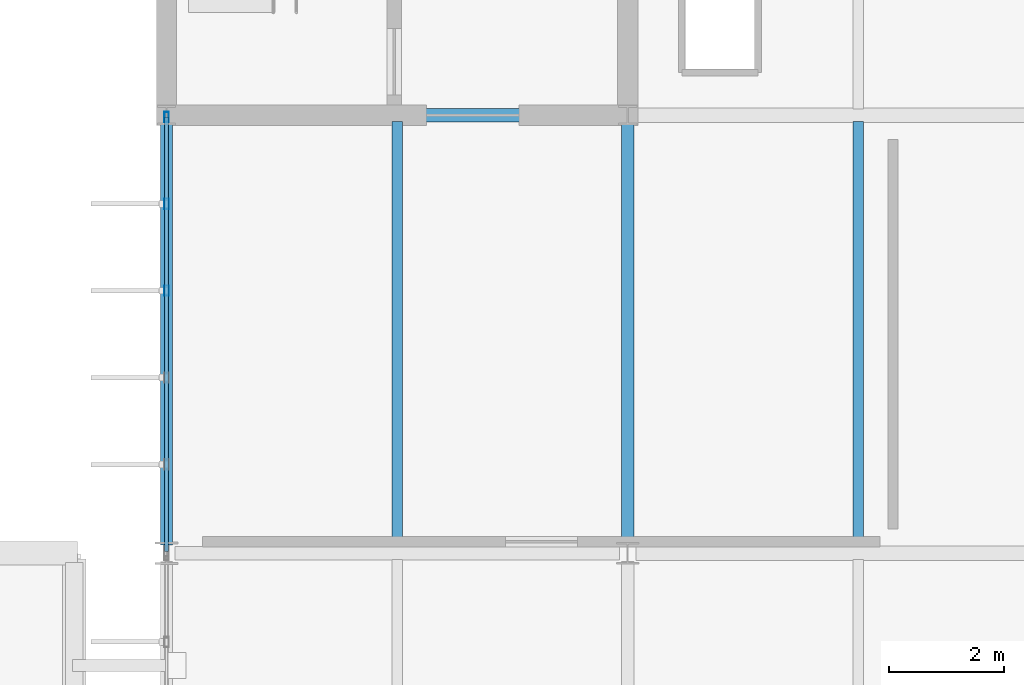
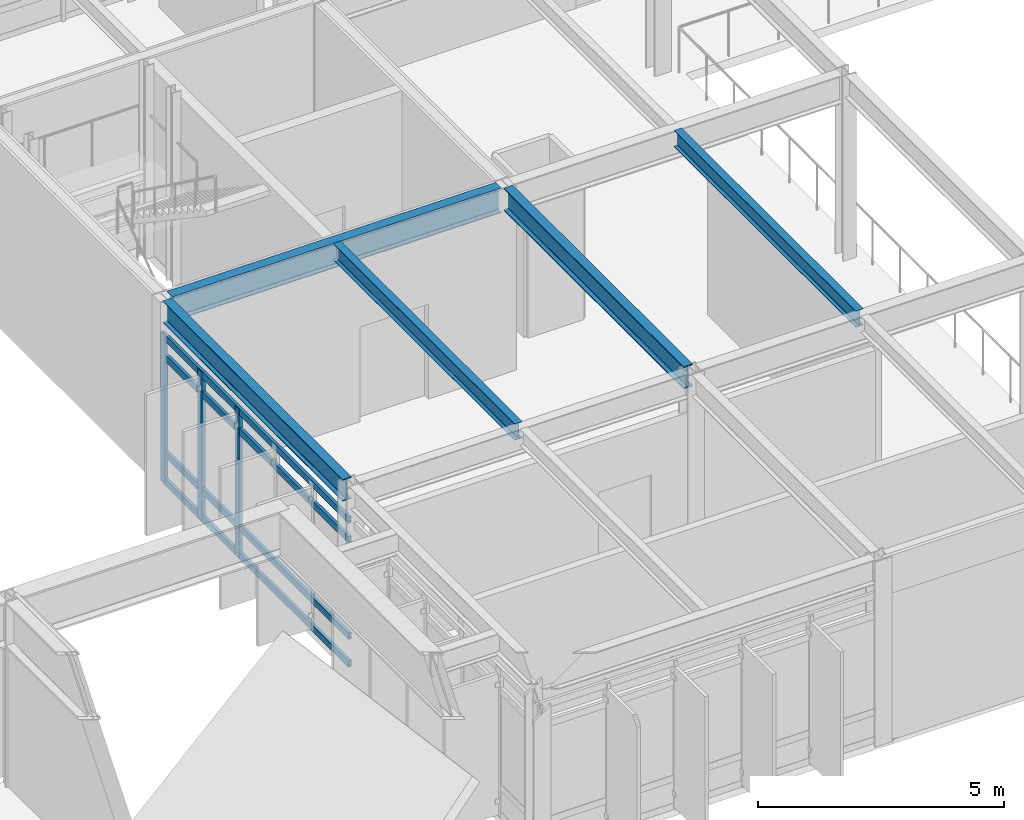
# One storey, part 39 of 104: 7 members, 5 beams, 1 element without a shape of its own.
"""IFC4 building model written with IfcOpenShell, lengths in metres."""

from ifc_helpers import new_model, si_unit, direction, frame, origin, origin_2d, place, context, subcontext, project, spatial, hollow_rectangle, i_section, extrude, material, material_profile, profile_set, type_object, element, aggregate, save


model = new_model("IFC4")

# Units and contexts
model_context = context("Model", 3, precision=1e-05, world=origin(), true_north=direction((0.0, 1.0)))
body_context = subcontext(model_context, "Body", "Model", "MODEL_VIEW")
ifc_project = project(units=[si_unit("LENGTHUNIT", "METRE"), si_unit("AREAUNIT", "SQUARE_METRE"), si_unit("VOLUMEUNIT", "CUBIC_METRE"), si_unit("PLANEANGLEUNIT", "RADIAN"), si_unit("MASSUNIT", "GRAM", prefix="KILO")], contexts=[model_context])

# Site, building, storey
site_placement = place(None, origin())
site = spatial("IfcSite", under=ifc_project, at=site_placement, CompositionType="ELEMENT")
building_placement = place(site_placement, origin())
building = spatial("IfcBuilding", under=site, at=building_placement, Name="Zulena Civic Courthouse", CompositionType="ELEMENT")
storey_placement = place(building_placement, frame((0.0, 0.0, 10.800048828125)))
storey = spatial("IfcBuildingStorey", under=building, at=storey_placement, Name="L02", CompositionType="ELEMENT", Elevation=10.800048828125)

# Curtain wall, members
ifc_material_1 = material(Name="Double-silver low-E laminated solar-control glass", Category="glass")
curtain_wall_type = type_object("IfcCurtainWallType", Name="CW_7540x3690", PredefinedType="USERDEFINED", material=ifc_material_1)
curtain_wall_placement = place(storey_placement, origin())
curtain_wall = element("IfcCurtainWall", 1, at=curtain_wall_placement, inside=storey, type_object=curtain_wall_type, Name="cw:V4:L02:0:1", ObjectType="UNITISED CURTAIN WALL", PredefinedType="USERDEFINED")
ifc_material_2 = material(Name="Bronze anodised thermally broken aluminium AA6063-T6", Category="aluminium")
ifc_material_profile_1 = material_profile(ifc_material_2, hollow_rectangle(XDim=0.074951171875, YDim=0.179931640625, WallThickness=0.0048828125, at=origin_2d()), Name="CWM180X75X5")
ifc_profile_set_1 = profile_set([ifc_material_profile_1], Name="Bronze anodised thermally broken aluminium AA6063-T6")
member_type_1 = type_object("IfcMemberType", Name="CWMullion_180x75", PredefinedType="MULLION", material=ifc_profile_set_1)
member_1_placement = place(storey_placement, frame((68.0, 27.35400390625, 0.0), z_axis=(0.0, 0.0, 1.0), x_axis=(1.0, 0.0, 0.0)))
member_1 = element("IfcMember", 2, at=member_1_placement, type_object=member_type_1, Name="cw:V4:L02:0:1:mull:3", PredefinedType="MULLION", context=body_context, shape_type="SweptSolid", body=[
    extrude(hollow_rectangle(XDim=0.074951171875, YDim=0.179931640625, WallThickness=0.0048828125, at=origin_2d()), origin(), (0.0, 0.0, 1.0), 3.68994140625),
])
member_2_placement = place(storey_placement, frame((68.0, 28.862060546875, 0.0), z_axis=(0.0, 0.0, 1.0), x_axis=(1.0, 0.0, 0.0)))
member_2 = element("IfcMember", 3, at=member_2_placement, type_object=member_type_1, Name="cw:V4:L02:0:1:mull:4", PredefinedType="MULLION", context=body_context, shape_type="SweptSolid", body=[
    extrude(hollow_rectangle(XDim=0.074951171875, YDim=0.179931640625, WallThickness=0.0048828125, at=origin_2d()), origin(), (0.0, 0.0, 1.0), 3.68994140625),
])
member_3_placement = place(storey_placement, frame((68.0, 30.3701171875, 0.0), z_axis=(0.0, 0.0, 1.0), x_axis=(1.0, 0.0, 0.0)))
member_3 = element("IfcMember", 4, at=member_3_placement, type_object=member_type_1, Name="cw:V4:L02:0:1:mull:5", PredefinedType="MULLION", context=body_context, shape_type="SweptSolid", body=[
    extrude(hollow_rectangle(XDim=0.074951171875, YDim=0.179931640625, WallThickness=0.0048828125, at=origin_2d()), origin(), (0.0, 0.0, 1.0), 3.68994140625),
])
ifc_material_profile_2 = material_profile(ifc_material_2, hollow_rectangle(XDim=0.070068359375, YDim=0.1650390625, WallThickness=0.00390625, at=origin_2d()), Name="CWT165X70X4")
ifc_profile_set_2 = profile_set([ifc_material_profile_2], Name="Bronze anodised thermally broken aluminium AA6063-T6")
member_type_2 = type_object("IfcMemberType", Name="CWTransom_165x70", PredefinedType="USERDEFINED", material=ifc_profile_set_2)
member_4_placement = place(storey_placement, frame((68.0, 22.830078125, 0.06005859375), z_axis=(0.0, 1.0, 0.0), x_axis=(-1.0, 0.0, 0.0)))
member_4 = element("IfcMember", 5, at=member_4_placement, type_object=member_type_2, Name="cw:V4:L02:0:1:tran:0", ObjectType="TRANSOM", PredefinedType="USERDEFINED", context=body_context, shape_type="SweptSolid", body=[
    extrude(hollow_rectangle(XDim=0.070068359375, YDim=0.1650390625, WallThickness=0.00390625, at=origin_2d()), origin(), (0.0, 0.0, 1.0), 7.5400390625),
])
member_5_placement = place(storey_placement, frame((68.0, 22.830078125, 0.75), z_axis=(0.0, 1.0, 0.0), x_axis=(-1.0, 0.0, 0.0)))
member_5 = element("IfcMember", 6, at=member_5_placement, type_object=member_type_2, Name="cw:V4:L02:0:1:tran:1", ObjectType="TRANSOM", PredefinedType="USERDEFINED", context=body_context, shape_type="SweptSolid", body=[
    extrude(hollow_rectangle(XDim=0.070068359375, YDim=0.1650390625, WallThickness=0.00390625, at=origin_2d()), origin(), (0.0, 0.0, 1.0), 7.5400390625),
])
member_6_placement = place(storey_placement, frame((68.0, 22.830078125, 3.139892578125), z_axis=(0.0, 1.0, 0.0), x_axis=(-1.0, 0.0, 0.0)))
member_6 = element("IfcMember", 7, at=member_6_placement, type_object=member_type_2, Name="cw:V4:L02:0:1:tran:2", ObjectType="TRANSOM", PredefinedType="USERDEFINED", context=body_context, shape_type="SweptSolid", body=[
    extrude(hollow_rectangle(XDim=0.070068359375, YDim=0.1650390625, WallThickness=0.00390625, at=origin_2d()), origin(), (0.0, 0.0, 1.0), 7.5400390625),
])
member_7_placement = place(storey_placement, frame((68.0, 22.830078125, 3.6298828125), z_axis=(0.0, 1.0, 0.0), x_axis=(-1.0, 0.0, 0.0)))
member_7 = element("IfcMember", 8, at=member_7_placement, type_object=member_type_2, Name="cw:V4:L02:0:1:tran:3", ObjectType="TRANSOM", PredefinedType="USERDEFINED", context=body_context, shape_type="SweptSolid", body=[
    extrude(hollow_rectangle(XDim=0.070068359375, YDim=0.1650390625, WallThickness=0.00390625, at=origin_2d()), origin(), (0.0, 0.0, 1.0), 7.5400390625),
])
aggregate(curtain_wall, [member_1, member_2, member_3, member_4, member_5, member_6, member_7])

# Beams
ifc_material_3 = material(Name="Steel ASTM A992 Grade 50", Category="steel")
ifc_material_profile_3 = material_profile(ifc_material_3, i_section(OverallWidth=0.214111328125, OverallDepth=0.549072265625, WebThickness=0.0146484375, FlangeThickness=0.023681640625, FilletRadius=0.0126953125, at=origin_2d()), Name="W21X93")
ifc_profile_set_3 = profile_set([ifc_material_profile_3], Name="Steel ASTM A992 Grade 50")
beam_type_1 = type_object("IfcBeamType", Name="Girder_W21X93", PredefinedType="BEAM", material=ifc_profile_set_3)
beam_1_placement = place(storey_placement, frame((76.0, 22.945068359375, 4.3154296875), z_axis=(0.0, 1.0, 0.0), x_axis=(-1.0, 0.0, 0.0)))
element("IfcBeam", 9, at=beam_1_placement, inside=storey, type_object=beam_type_1, Name="beam:Y:V4:L02:76.0:22.8_30.4", PredefinedType="BEAM", context=body_context, shape_type="SweptSolid", body=[
    extrude(i_section(OverallWidth=0.214111328125, OverallDepth=0.549072265625, WebThickness=0.0146484375, FlangeThickness=0.023681640625, FilletRadius=0.0126953125, at=origin_2d()), origin(), (0.0, 0.0, 1.0), 7.309814453125),
])
ifc_material_profile_4 = material_profile(ifc_material_3, i_section(OverallWidth=0.177978515625, OverallDepth=0.406005859375, WebThickness=0.0078125, FlangeThickness=0.0126953125, FilletRadius=0.01025390625, at=origin_2d()), Name="W16X40")
ifc_profile_set_4 = profile_set([ifc_material_profile_4], Name="Steel ASTM A992 Grade 50")
beam_type_2 = type_object("IfcBeamType", Name="Joist_W16X40", PredefinedType="JOIST", material=ifc_profile_set_4)
for number, where, z_axis, x_axis, name in (
    (10, (72.0, 22.905029296875, 4.386962890625), (0.0, 1.0, 0.0), (-1.0, 0.0, 0.0), "joist:V4:L02:72.00:22.8_30.4"),
    (11, (80.0, 22.905029296875, 4.386962890625), (0.0, 1.0, 0.0), (-1.0, 0.0, 0.0), "joist:V4:L02:80.00:22.8_30.4"),
):
    element("IfcBeam", number, at=place(storey_placement, frame(where, z_axis=z_axis, x_axis=x_axis)), inside=storey, type_object=beam_type_2, Name=name, PredefinedType="JOIST", context=body_context, shape_type="SweptSolid", body=[
        extrude(i_section(OverallWidth=0.177978515625, OverallDepth=0.406005859375, WebThickness=0.0078125, FlangeThickness=0.0126953125, FilletRadius=0.01025390625, at=origin_2d()), origin(), (0.0, 0.0, 1.0), 7.389892578125),
    ])
ifc_material_profile_5 = material_profile(ifc_material_3, i_section(OverallWidth=0.2099609375, OverallDepth=0.537109375, WebThickness=0.010986328125, FlangeThickness=0.017333984375, FilletRadius=0.0126953125, at=origin_2d()), Name="W21X68")
ifc_profile_set_5 = profile_set([ifc_material_profile_5], Name="Steel ASTM A992 Grade 50")
beam_type_3 = type_object("IfcBeamType", Name="Spandrel_W21X68", PredefinedType="SPANDREL", material=ifc_profile_set_5)
beam_2_placement = place(storey_placement, frame((68.0, 22.945068359375, 4.321533203125), z_axis=(0.0, 1.0, 0.0), x_axis=(-1.0, 0.0, 0.0)))
element("IfcBeam", 12, at=beam_2_placement, inside=storey, type_object=beam_type_3, Name="beam:Y:V4:L02:68.0:22.8_30.4", PredefinedType="SPANDREL", context=body_context, shape_type="SweptSolid", body=[
    extrude(i_section(OverallWidth=0.2099609375, OverallDepth=0.537109375, WebThickness=0.010986328125, FlangeThickness=0.017333984375, FilletRadius=0.0126953125, at=origin_2d()), origin(), (0.0, 0.0, 1.0), 7.309814453125),
])
ifc_material_profile_6 = material_profile(ifc_material_3, i_section(OverallWidth=0.22998046875, OverallDepth=0.616943359375, WebThickness=0.01318359375, FlangeThickness=0.022216796875, FilletRadius=0.0126953125, at=origin_2d()), Name="W24X94")
ifc_profile_set_6 = profile_set([ifc_material_profile_6], Name="Steel ASTM A992 Grade 50")
beam_type_4 = type_object("IfcBeamType", Name="Spandrel_W24X94", PredefinedType="SPANDREL", material=ifc_profile_set_6)
beam_3_placement = place(storey_placement, frame((68.14501953125, 30.39990234375, 4.281494140625), z_axis=(1.0, 0.0, 0.0), x_axis=(0.0, 1.0, 0.0)))
element("IfcBeam", 13, at=beam_3_placement, inside=storey, type_object=beam_type_4, Name="beam:X:V4:L02:30.4:68.0_76.0", PredefinedType="SPANDREL", context=body_context, shape_type="SweptSolid", body=[
    extrude(i_section(OverallWidth=0.22998046875, OverallDepth=0.616943359375, WebThickness=0.01318359375, FlangeThickness=0.022216796875, FilletRadius=0.0126953125, at=origin_2d()), origin(), (0.0, 0.0, 1.0), 7.7099609375),
])

save(model, "model.ifc")
